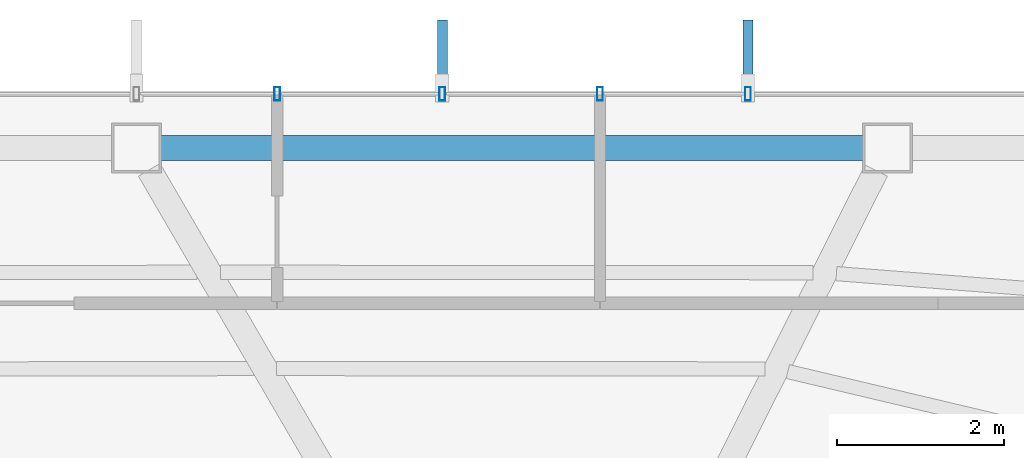
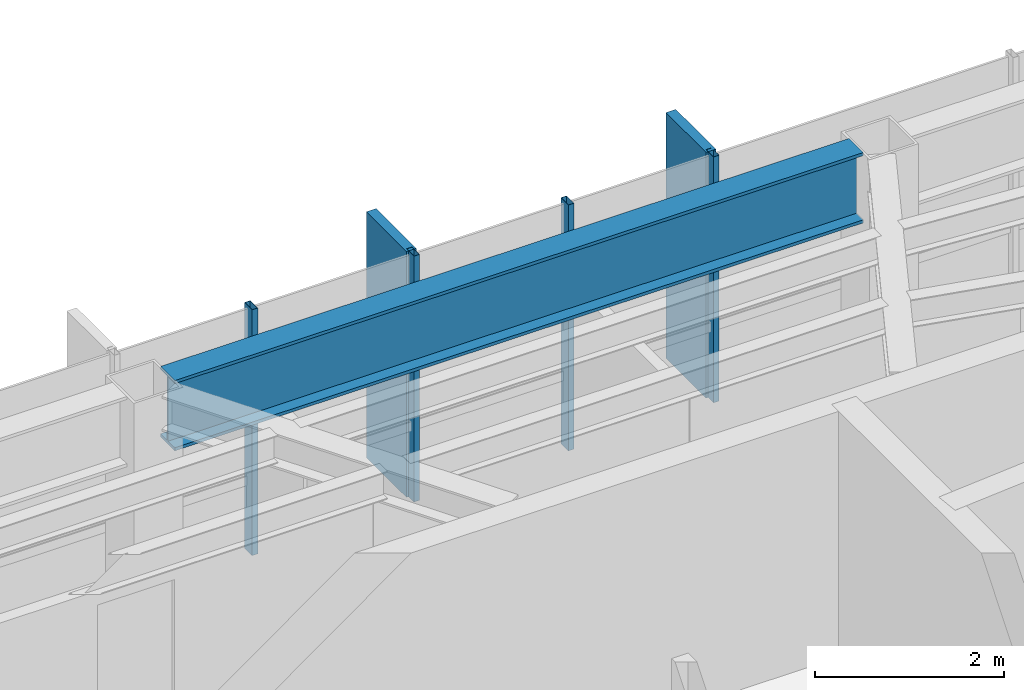
# One storey, part 14 of 25: 6 members, 1 beam, 1 element without a shape of its own.
"""IFC4 building model written with IfcOpenShell, lengths in metres."""

from ifc_helpers import new_model, si_unit, direction, frame, origin, origin_2d, place, context, subcontext, project, spatial, rectangle, hollow_rectangle, i_section, extrude, material, layer, layer_set, material_profile, profile_set, type_object, element, aggregate, save


model = new_model("IFC4")

# Units and contexts
model_context = context("Model", 3, precision=1e-05, world=origin(), true_north=direction((0.0, 1.0)))
body_context = subcontext(model_context, "Body", "Model", "MODEL_VIEW")
ifc_project = project(units=[si_unit("LENGTHUNIT", "METRE"), si_unit("AREAUNIT", "SQUARE_METRE"), si_unit("VOLUMEUNIT", "CUBIC_METRE"), si_unit("PLANEANGLEUNIT", "RADIAN"), si_unit("MASSUNIT", "GRAM", prefix="KILO")], contexts=[model_context])

# Site, building, storey
site_placement = place(None, origin())
site = spatial("IfcSite", under=ifc_project, at=site_placement, CompositionType="ELEMENT")
building_placement = place(site_placement, origin())
building = spatial("IfcBuilding", under=site, at=building_placement, Name="Zarrinselat Tower", CompositionType="ELEMENT")
storey_placement = place(building_placement, frame((0.0, 0.0, 239.360107421875)))
storey = spatial("IfcBuildingStorey", under=building, at=storey_placement, Name="L60", CompositionType="ELEMENT", Elevation=239.360107421875)

# Beam
ifc_material_1 = material(Name="Steel S460M", Category="steel")
ifc_material_profile_1 = material_profile(ifc_material_1, i_section(OverallWidth=0.302001953125, OverallDepth=0.909912109375, WebThickness=0.02099609375, FlangeThickness=0.0400390625, at=origin_2d()), Name="HEM 900")
ifc_profile_set_1 = profile_set([ifc_material_profile_1], Name="Steel S460M")
beam_type = type_object("IfcBeamType", Name="BM-HEM900", PredefinedType="BEAM", material=ifc_profile_set_1)
beam_placement = place(storey_placement, frame((39.03271484375, 47.4111328125, 2.724853515625), z_axis=(1.0, 0.0, 0.0), x_axis=(0.0, 1.0, 0.0)))
element("IfcBeam", 1, at=beam_placement, inside=storey, type_object=beam_type, Name="L60 Perimeter Spandrel Girder SP02", PredefinedType="BEAM", context=body_context, shape_type="SweptSolid", body=[
    extrude(i_section(OverallWidth=0.302001953125, OverallDepth=0.909912109375, WebThickness=0.02099609375, FlangeThickness=0.0400390625, at=origin_2d()), origin(), (0.0, 0.0, 1.0), 8.424560546875),
])

# Curtain wall, members
ifc_material_2 = material(Name="Extruded Aluminium Alloy EN AW-6063 T6", Category="aluminium")
ifc_layer = layer(ifc_material_2, 0.169921875)
ifc_layer_set = layer_set([ifc_layer], Name="Extruded Aluminium Alloy EN AW-6063 T6")
curtain_wall_type = type_object("IfcCurtainWallType", Name="CWS-RES", PredefinedType="NOTDEFINED", material=ifc_layer_set)
curtain_wall_placement = place(storey_placement, origin())
curtain_wall = element("IfcCurtainWall", 2, at=curtain_wall_placement, inside=storey, type_object=curtain_wall_type, Name="L60 Unitised Curtain Wall CW-L60-E01", PredefinedType="NOTDEFINED")
ifc_material_3 = material(Name="Extruded Aluminium Alloy EN AW-6063 T6", Category="aluminium")
ifc_material_profile_2 = material_profile(ifc_material_3, hollow_rectangle(XDim=0.070068359375, YDim=0.159912109375, WallThickness=0.00390625, at=origin_2d()), Name="RHS 160x70x4")
ifc_profile_set_2 = profile_set([ifc_material_profile_2], Name="Extruded Aluminium Alloy EN AW-6063 T6")
member_type_1 = type_object("IfcMemberType", Name="MEM-CW-MUL2", PredefinedType="MULLION", material=ifc_profile_set_2)
member_1_placement = place(storey_placement, frame((46.07421875, 48.06103515625, 0.0), z_axis=(0.0, 0.0, 1.0), x_axis=(-1.0, 0.0, 0.0)))
member_1 = element("IfcMember", 3, at=member_1_placement, type_object=member_type_1, Name="CW-L60-E01 Mullion 3", PredefinedType="MULLION", context=body_context, shape_type="SweptSolid", body=[
    extrude(hollow_rectangle(XDim=0.070068359375, YDim=0.159912109375, WallThickness=0.00390625, at=origin_2d()), origin(), (0.0, 0.0, 1.0), 3.179931640625),
])
member_2_placement = place(storey_placement, frame((44.300048828125, 48.06103515625, 0.0), z_axis=(0.0, 0.0, 1.0), x_axis=(-1.0, 0.0, 0.0)))
member_2 = element("IfcMember", 4, at=member_2_placement, type_object=member_type_1, Name="CW-L60-E01 Mullion 4", PredefinedType="MULLION", context=body_context, shape_type="SweptSolid", body=[
    extrude(hollow_rectangle(XDim=0.070068359375, YDim=0.159912109375, WallThickness=0.00390625, at=origin_2d()), origin(), (0.0, 0.0, 1.0), 3.179931640625),
])
member_3_placement = place(storey_placement, frame((42.409423828125, 48.06103515625, 0.0), z_axis=(0.0, 0.0, 1.0), x_axis=(-1.0, 0.0, 0.0)))
member_3 = element("IfcMember", 5, at=member_3_placement, type_object=member_type_1, Name="CW-L60-E01 Mullion 5", PredefinedType="MULLION", context=body_context, shape_type="SweptSolid", body=[
    extrude(hollow_rectangle(XDim=0.070068359375, YDim=0.159912109375, WallThickness=0.00390625, at=origin_2d()), origin(), (0.0, 0.0, 1.0), 3.179931640625),
])
member_4_placement = place(storey_placement, frame((40.4296875, 48.06103515625, 0.0), z_axis=(0.0, 0.0, 1.0), x_axis=(-1.0, 0.0, 0.0)))
member_4 = element("IfcMember", 6, at=member_4_placement, type_object=member_type_1, Name="CW-L60-E01 Mullion 6", PredefinedType="MULLION", context=body_context, shape_type="SweptSolid", body=[
    extrude(hollow_rectangle(XDim=0.070068359375, YDim=0.159912109375, WallThickness=0.00390625, at=origin_2d()), origin(), (0.0, 0.0, 1.0), 3.179931640625),
])
ifc_material_4 = material(Name="Honed Cream Travertine Stone", Category="masonry")
ifc_material_profile_3 = material_profile(ifc_material_4, rectangle(XDim=0.1201171875, YDim=0.85009765625, at=origin_2d()), Name="FIN 850x120")
ifc_profile_set_3 = profile_set([ifc_material_profile_3], Name="Honed Cream Travertine Stone")
member_type_2 = type_object("IfcMemberType", Name="MEM-STONE-FIN", PredefinedType="USERDEFINED", material=ifc_profile_set_3)
member_5_placement = place(storey_placement, frame((46.07421875, 48.52099609375, 0.0), z_axis=(0.0, 0.0, 1.0), x_axis=(1.0, 0.0, 0.0)))
member_5 = element("IfcMember", 7, at=member_5_placement, type_object=member_type_2, Name="L60 Stone Shading Fin CW-L60-E01-03", ObjectType="FIN", PredefinedType="USERDEFINED", context=body_context, shape_type="SweptSolid", body=[
    extrude(rectangle(XDim=0.1201171875, YDim=0.85009765625, at=origin_2d()), origin(), (0.0, 0.0, 1.0), 3.179931640625),
])
member_6_placement = place(storey_placement, frame((42.409423828125, 48.52099609375, 0.0), z_axis=(0.0, 0.0, 1.0), x_axis=(1.0, 0.0, 0.0)))
member_6 = element("IfcMember", 8, at=member_6_placement, type_object=member_type_2, Name="L60 Stone Shading Fin CW-L60-E01-05", ObjectType="FIN", PredefinedType="USERDEFINED", context=body_context, shape_type="SweptSolid", body=[
    extrude(rectangle(XDim=0.1201171875, YDim=0.85009765625, at=origin_2d()), origin(), (0.0, 0.0, 1.0), 3.179931640625),
])
aggregate(curtain_wall, [member_1, member_5, member_2, member_3, member_6, member_4])

save(model, "model.ifc")
